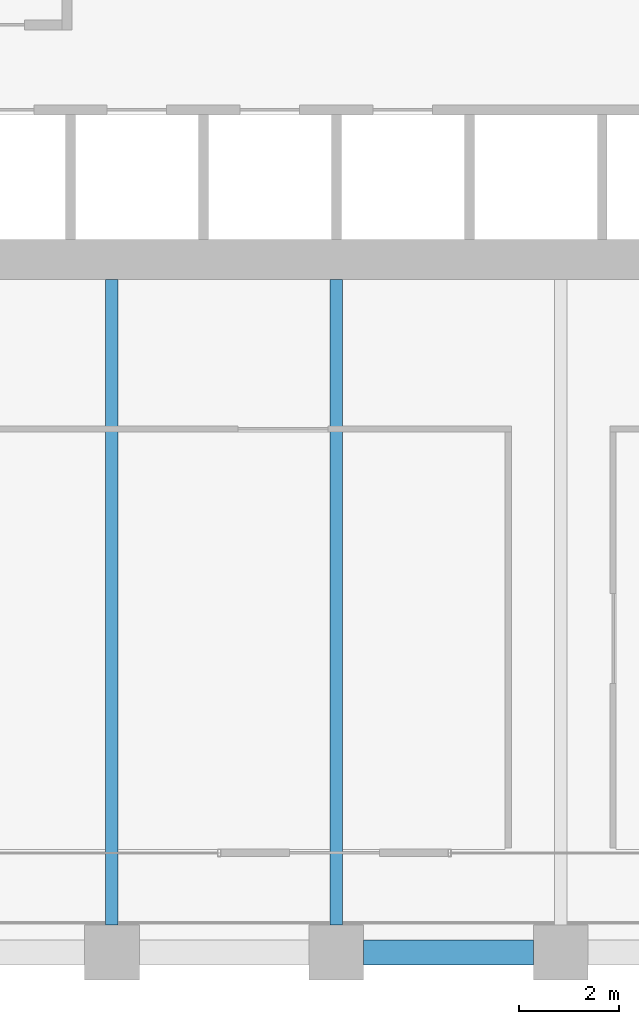
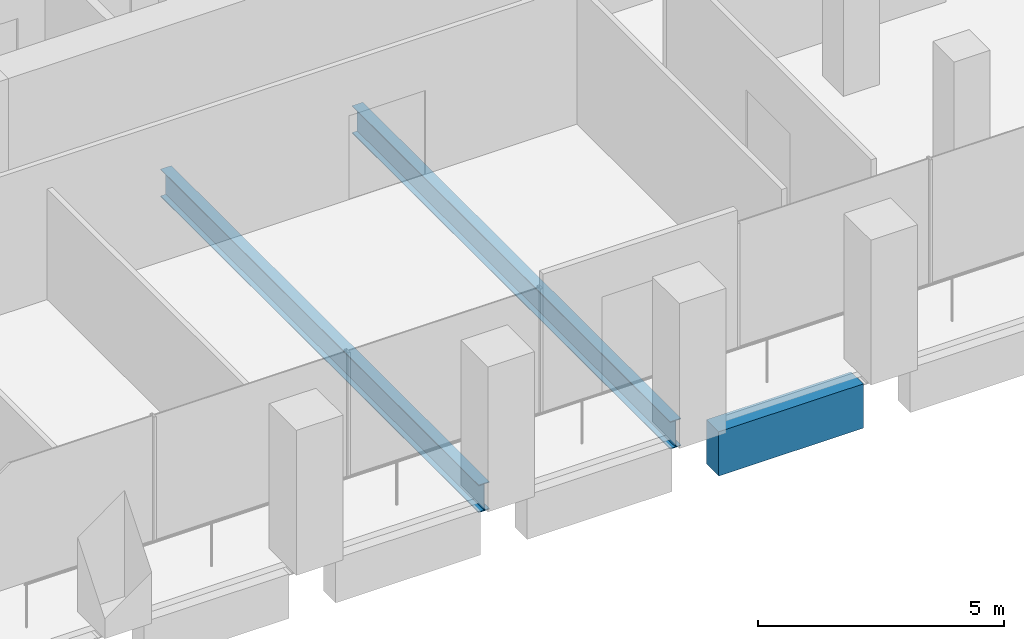
# One storey, part 8 of 54: 3 beams.
"""IFC4 building model written with IfcOpenShell, lengths in metres."""

from ifc_helpers import new_model, si_unit, direction, frame, origin, origin_2d, place, context, subcontext, project, spatial, rectangle, i_section, extrude, material, material_profile, profile_set, type_object, element, save


model = new_model("IFC4")

# Units and contexts
model_context = context("Model", 3, precision=1e-05, world=origin(), true_north=direction((0.0, 1.0)))
body_context = subcontext(model_context, "Body", "Model", "MODEL_VIEW")
ifc_project = project(units=[si_unit("LENGTHUNIT", "METRE"), si_unit("AREAUNIT", "SQUARE_METRE"), si_unit("VOLUMEUNIT", "CUBIC_METRE"), si_unit("PLANEANGLEUNIT", "RADIAN"), si_unit("MASSUNIT", "GRAM", prefix="KILO")], contexts=[model_context])

# Site, building, storey
site_placement = place(None, origin())
site = spatial("IfcSite", under=ifc_project, at=site_placement, CompositionType="ELEMENT")
building_placement = place(site_placement, origin())
building = spatial("IfcBuilding", under=site, at=building_placement, Name="Altepetl Exchange Towers", CompositionType="ELEMENT")
storey_placement = place(building_placement, frame((0.0, 0.0, 61.800048828125)))
storey = spatial("IfcBuildingStorey", under=building, at=storey_placement, Name="L14", CompositionType="ELEMENT", Elevation=61.800048828125)

# Beams
ifc_material_1 = material(Name="Steel S355", Category="steel")
ifc_material_profile_1 = material_profile(ifc_material_1, i_section(OverallWidth=0.25390625, OverallDepth=0.68408203125, WebThickness=0.012451171875, FlangeThickness=0.018798828125, at=origin_2d()), Name="W27X94")
ifc_profile_set_1 = profile_set([ifc_material_profile_1], Name="Steel S355")
beam_type_1 = type_object("IfcBeamType", Name="Floor beam W27X94", PredefinedType="BEAM", material=ifc_profile_set_1)
for number, where, z_axis, x_axis, name in (
    (1, (45.0, 27.550048828125, -0.491943359375), (0.0, 1.0, 0.0), (-1.0, 0.0, 0.0), "bm:A:L14:015"),
    (2, (49.5, 27.550048828125, -0.491943359375), (0.0, 1.0, 0.0), (-1.0, 0.0, 0.0), "bm:A:L14:016"),
):
    element("IfcBeam", number, at=place(storey_placement, frame(where, z_axis=z_axis, x_axis=x_axis)), inside=storey, type_object=beam_type_1, Name=name, PredefinedType="BEAM", context=body_context, shape_type="SweptSolid", body=[
        extrude(i_section(OverallWidth=0.25390625, OverallDepth=0.68408203125, WebThickness=0.012451171875, FlangeThickness=0.018798828125, at=origin_2d()), origin(), (0.0, 0.0, 1.0), 12.949951171875),
    ])
ifc_material_2 = material(Name="Concrete C50/60 precast with cantera blanca facing", Category="concrete")
ifc_material_profile_2 = material_profile(ifc_material_2, rectangle(XDim=0.5, YDim=1.10009765625, at=origin_2d()), Name="500 x 1100")
ifc_profile_set_2 = profile_set([ifc_material_profile_2], Name="Concrete C50/60 precast with cantera blanca facing")
beam_type_2 = type_object("IfcBeamType", Name="Spandrel beam 500x1100 cantera blanca", PredefinedType="SPANDREL", material=ifc_profile_set_2)
beam_placement = place(storey_placement, frame((50.050048828125, 27.0, -0.699951171875), z_axis=(1.0, 0.0, 0.0), x_axis=(0.0, 1.0, 0.0)))
element("IfcBeam", 3, at=beam_placement, inside=storey, type_object=beam_type_2, Name="sp:A:L14:004", PredefinedType="SPANDREL", context=body_context, shape_type="SweptSolid", body=[
    extrude(rectangle(XDim=0.5, YDim=1.10009765625, at=origin_2d()), origin(), (0.0, 0.0, 1.0), 3.39990234375),
])

save(model, "model.ifc")
